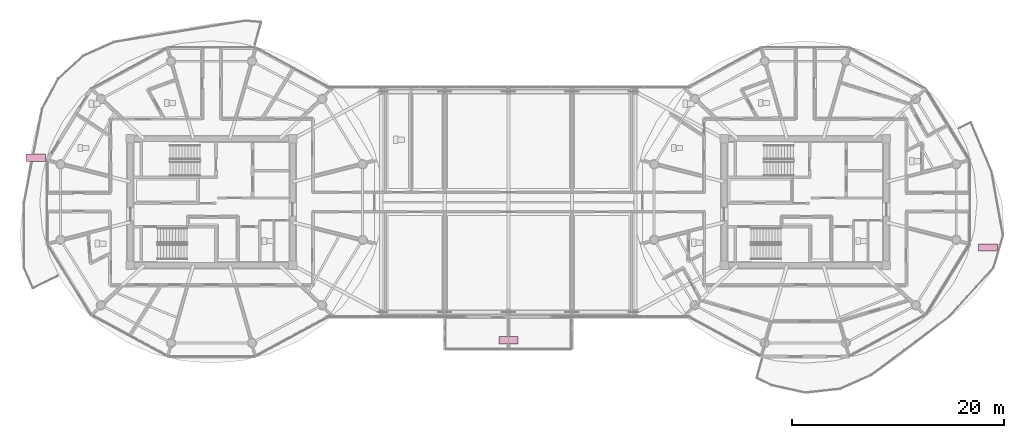
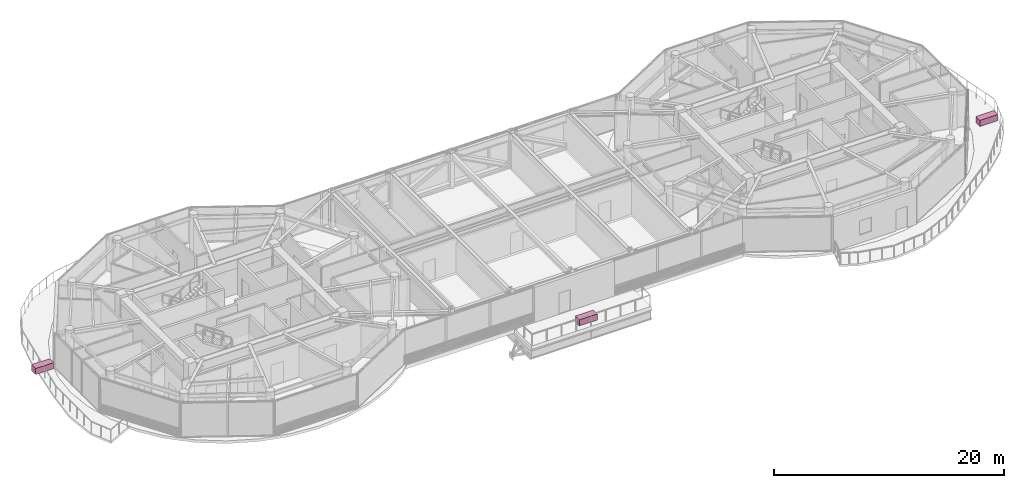
# One storey, part 31 of 31: 3 furnishings.
"""IFC4 building model written with IfcOpenShell, lengths in metres."""

from ifc_helpers import new_model, si_unit, direction, frame, origin, origin_2d, place, context, subcontext, project, spatial, rectangle, extrude, source, transform, mapped, material, type_object, type_shapes, element, save


model = new_model("IFC4")

# Units and contexts
model_context = context("Model", 3, precision=1e-05, world=origin(), true_north=direction((0.0, 1.0)))
body_context = subcontext(model_context, "Body", "Model", "MODEL_VIEW")
ifc_project = project(units=[si_unit("LENGTHUNIT", "METRE"), si_unit("AREAUNIT", "SQUARE_METRE"), si_unit("VOLUMEUNIT", "CUBIC_METRE"), si_unit("PLANEANGLEUNIT", "RADIAN"), si_unit("MASSUNIT", "GRAM", prefix="KILO")], contexts=[model_context])

# Site, building, storey
site_placement = place(None, origin())
site = spatial("IfcSite", under=ifc_project, at=site_placement, CompositionType="ELEMENT")
building_placement = place(site_placement, origin())
building = spatial("IfcBuilding", under=site, at=building_placement, Name="Norrkilde Senior Care Towers", CompositionType="ELEMENT")
storey_placement = place(building_placement, frame((0.0, 0.0, 199.800048828125)))
storey = spatial("IfcBuildingStorey", under=building, at=storey_placement, Name="L62", CompositionType="ELEMENT", Elevation=199.800048828125)

# Furnishings
ifc_material = material(Name="Architectural Terracotta", Category="masonry")
furnishing_element_type = type_object("IfcFurnishingElementType", Name="Nordic Terrace Planter Bed PLANTER", material=ifc_material)
shared_shape = source(origin(), body_context, "Body", "SweptSolid", [
    extrude(rectangle(XDim=1.800048828125, YDim=0.699951171875, at=origin_2d()), origin(), (0.0, 0.0, 1.0), 0.64990234375),
])
type_shapes(furnishing_element_type, [shared_shape])
for number, where, z_axis, x_axis, name in (
    (1, (45.224365234375, -4.285888671875, 0.0), (0.0, 0.0, 1.0), (1.0, 0.0, 0.0), "L62 Nordic Planted Terrace Bed 23"),
    (2, (-44.58056640625, 4.174560546875, 0.0), (0.0, 0.0, 1.0), (1.0, 0.0, 0.0), "L62 Nordic Planted Terrace Bed 24"),
    (3, (0.0, -13.050048828125, 0.0), (0.0, 0.0, 1.0), (1.0, 0.0, 0.0), "L62 Nordic Planted Terrace Bed 25"),
):
    element("IfcFurnishingElement", number, at=place(storey_placement, frame(where, z_axis=z_axis, x_axis=x_axis)), inside=storey, type_object=furnishing_element_type, Name=name, context=body_context, shape_type="MappedRepresentation", body=[
        mapped(shared_shape, transform((0.0, 0.0, 0.0), x_axis=(1.0, 0.0, 0.0), y_axis=(0.0, 1.0, 0.0), z_axis=(0.0, 0.0, 1.0), scale=1.0)),
    ])

save(model, "model.ifc")
